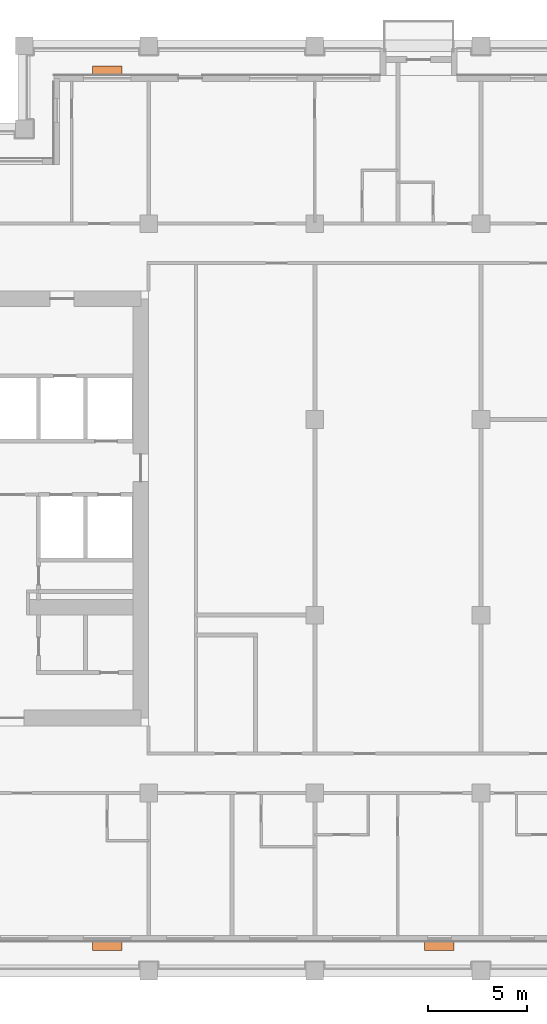
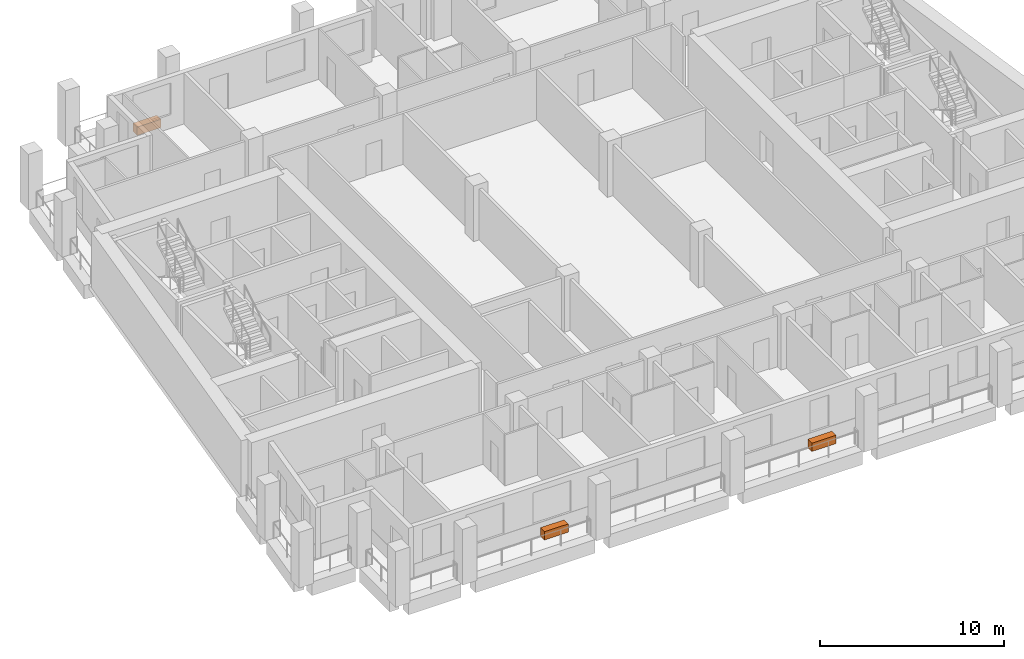
# One storey, part 13 of 13: 3 proxies.
"""IFC4 building model written with IfcOpenShell, lengths in metres."""

from ifc_helpers import new_model, si_unit, direction, frame, origin, origin_2d, place, context, subcontext, project, spatial, rectangle, extrude, element, save


model = new_model("IFC4")

# Units and contexts
model_context = context("Model", 3, precision=1e-05, world=origin(), true_north=direction((0.0, 1.0)))
body_context = subcontext(model_context, "Body", "Model", "MODEL_VIEW")
ifc_project = project(units=[si_unit("LENGTHUNIT", "METRE"), si_unit("AREAUNIT", "SQUARE_METRE"), si_unit("VOLUMEUNIT", "CUBIC_METRE"), si_unit("PLANEANGLEUNIT", "RADIAN"), si_unit("MASSUNIT", "GRAM", prefix="KILO")], contexts=[model_context])

# Site, building, storey
site_placement = place(None, origin())
site = spatial("IfcSite", under=ifc_project, at=site_placement, CompositionType="ELEMENT")
building_placement = place(site_placement, origin())
building = spatial("IfcBuilding", under=site, at=building_placement, Name="Candeia Pilgrim Tower and Theatre", CompositionType="ELEMENT")
storey_placement = place(building_placement, frame((0.0, 0.0, 220.699951171875)))
storey = spatial("IfcBuildingStorey", under=building, at=storey_placement, Name="L53", CompositionType="ELEMENT", Elevation=220.699951171875)

# Proxies
for number, where, z_axis, x_axis, name in (
    (1, (98.699951171875, 99.2548828125, 0.0), (0.0, 0.0, 1.0), (1.0, 0.0, 0.0), "Planter"),
    (2, (115.5, 99.2548828125, 0.0), (0.0, 0.0, 1.0), (1.0, 0.0, 0.0), "Planter"),
    (3, (98.699951171875, 143.544921875, 0.0), (0.0, 0.0, 1.0), (-1.0, 0.0, 0.0), "Planter"),
):
    element("IfcBuildingElementProxy", number, at=place(storey_placement, frame(where, z_axis=z_axis, x_axis=x_axis)), inside=storey, Name=name, ObjectType="PLANTER", PredefinedType="USERDEFINED", context=body_context, shape_type="SweptSolid", body=[
        extrude(rectangle(XDim=1.5, YDim=0.449951171875, at=origin_2d()), origin(), (0.0, 0.0, 1.0), 0.550048828125),
    ])

save(model, "model.ifc")
